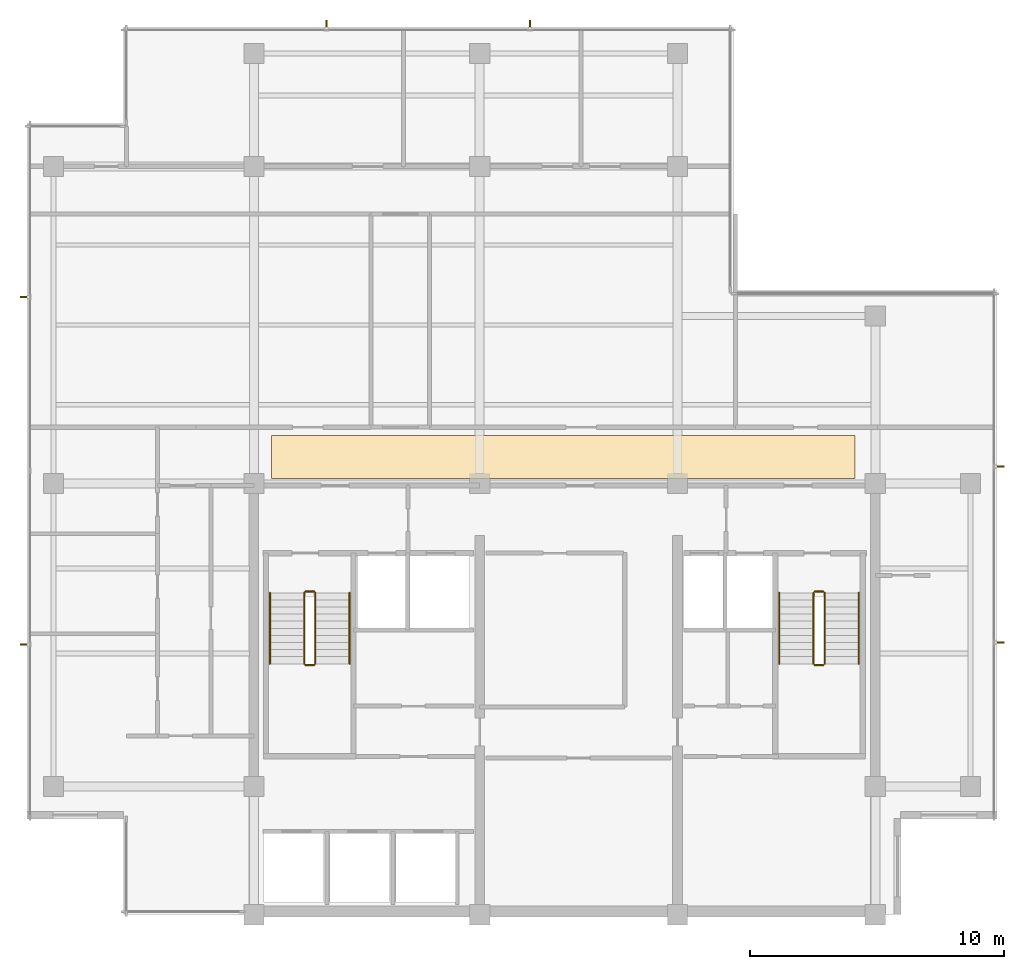
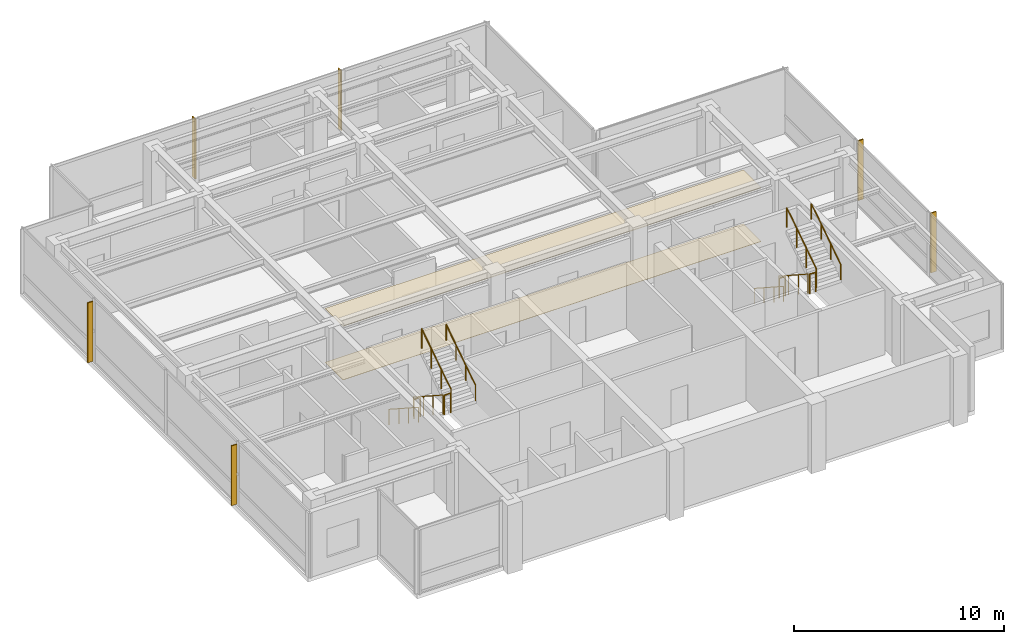
# One storey, part 11 of 11: 12 railings, 6 shading devices, 2 coverings.
"""IFC4 building model written with IfcOpenShell, lengths in metres."""

from ifc_helpers import new_model, si_unit, direction, frame, origin, origin_2d, place, context, subcontext, project, spatial, polyline, circle, outline, extrude, material, layer, layer_set, type_object, element, save


model = new_model("IFC4")

# Units and contexts
model_context = context("Model", 3, precision=1e-05, world=origin(), true_north=direction((0.0, 1.0)))
body_context = subcontext(model_context, "Body", "Model", "MODEL_VIEW")
ifc_project = project(units=[si_unit("LENGTHUNIT", "METRE"), si_unit("AREAUNIT", "SQUARE_METRE"), si_unit("VOLUMEUNIT", "CUBIC_METRE"), si_unit("PLANEANGLEUNIT", "RADIAN"), si_unit("MASSUNIT", "GRAM", prefix="KILO")], contexts=[model_context])

# Site, building, storey
site_placement = place(None, origin())
site = spatial("IfcSite", under=ifc_project, at=site_placement, CompositionType="ELEMENT")
building_placement = place(site_placement, origin())
building = spatial("IfcBuilding", under=site, at=building_placement, Name="Qalmaran Belvedere Hotel", CompositionType="ELEMENT")
storey_placement = place(building_placement, frame((0.0, 0.0, 289.89990234375)))
storey = spatial("IfcBuildingStorey", under=building, at=storey_placement, Name="L75", CompositionType="ELEMENT", Elevation=289.89990234375)

# Covering
ifc_material_1 = material(Name="Acoustic Mineral Ceiling")
ifc_layer_1 = layer(ifc_material_1, 0.0400390625, Name="Acoustic Mineral Ceiling")
ifc_layer_set_1 = layer_set([ifc_layer_1], Name="Acoustic Mineral Ceiling")
covering_type_1 = type_object("IfcCoveringType", Name="CLG-ACOUSTIC-40", PredefinedType="CEILING", material=ifc_layer_set_1)
covering_1_placement = place(storey_placement, frame((0.0, 0.0, 3.110107421875)))
element("IfcCovering", 1, at=covering_1_placement, inside=storey, type_object=covering_type_1, Name="L75 Acoustic Corridor Ceiling", PredefinedType="CEILING", context=body_context, shape_type="SweptSolid", body=[
    extrude(outline(polyline([(21.0, 20.699951171875), (44.0, 20.699951171875), (44.0, 22.39990234375), (21.0, 22.39990234375), (21.0, 20.699951171875)])), origin(), (0.0, 0.0, 1.0), 0.0400390625),
])

# Shading devices
ifc_material_2 = material(Name="Anodised Bronze Aluminium", Category="aluminium")
ifc_layer_2 = layer(ifc_material_2, 0.06494140625, Name="Anodised Bronze Aluminium")
ifc_layer_set_2 = layer_set([ifc_layer_2], Name="Anodised Bronze Aluminium")
shading_device_type = type_object("IfcShadingDeviceType", Name="FIN-BRNZ-300", PredefinedType="USERDEFINED", material=ifc_layer_set_2)
shading_device_1_placement = place(storey_placement, frame((0.0, 0.0, 0.16015625)))
element("IfcShadingDevice", 2, at=shading_device_1_placement, inside=storey, type_object=shading_device_type, Name="L75 Bronze Fin 1", ObjectType="FIN", PredefinedType="USERDEFINED", context=body_context, shape_type="SweptSolid", body=[
    extrude(outline(polyline([(49.572509765625, 14.20068359375), (49.87255859375, 14.20068359375), (49.87255859375, 14.265869140625), (49.572509765625, 14.265869140625), (49.572509765625, 14.20068359375)])), origin(), (0.0, 0.0, 1.0), 3.47998046875),
])
shading_device_2_placement = place(storey_placement, frame((0.0, 0.0, 0.16015625)))
element("IfcShadingDevice", 3, at=shading_device_2_placement, inside=storey, type_object=shading_device_type, Name="L75 Bronze Fin 2", ObjectType="FIN", PredefinedType="USERDEFINED", context=body_context, shape_type="SweptSolid", body=[
    extrude(outline(polyline([(49.572509765625, 21.13427734375), (49.87255859375, 21.13427734375), (49.87255859375, 21.19921875), (49.572509765625, 21.19921875), (49.572509765625, 21.13427734375)])), origin(), (0.0, 0.0, 1.0), 3.47998046875),
])
shading_device_3_placement = place(storey_placement, frame((0.0, 0.0, 0.16015625)))
element("IfcShadingDevice", 4, at=shading_device_3_placement, inside=storey, type_object=shading_device_type, Name="L75 Bronze Fin 1", ObjectType="FIN", PredefinedType="USERDEFINED", context=body_context, shape_type="SweptSolid", body=[
    extrude(outline(polyline([(31.2158203125, 38.472412109375), (31.2158203125, 38.7724609375), (31.15087890625, 38.7724609375), (31.15087890625, 38.472412109375), (31.2158203125, 38.472412109375)])), origin(), (0.0, 0.0, 1.0), 3.47998046875),
])
shading_device_4_placement = place(storey_placement, frame((0.0, 0.0, 0.16015625)))
element("IfcShadingDevice", 5, at=shading_device_4_placement, inside=storey, type_object=shading_device_type, Name="L75 Bronze Fin 2", ObjectType="FIN", PredefinedType="USERDEFINED", context=body_context, shape_type="SweptSolid", body=[
    extrude(outline(polyline([(23.19921875, 38.472412109375), (23.19921875, 38.7724609375), (23.13427734375, 38.7724609375), (23.13427734375, 38.472412109375), (23.19921875, 38.472412109375)])), origin(), (0.0, 0.0, 1.0), 3.47998046875),
])
shading_device_5_placement = place(storey_placement, frame((0.0, 0.0, 0.16015625)))
element("IfcShadingDevice", 6, at=shading_device_5_placement, inside=storey, type_object=shading_device_type, Name="L75 Bronze Fin 1", ObjectType="FIN", PredefinedType="USERDEFINED", context=body_context, shape_type="SweptSolid", body=[
    extrude(outline(polyline([(11.37744140625, 27.882568359375), (11.077392578125, 27.882568359375), (11.077392578125, 27.8173828125), (11.37744140625, 27.8173828125), (11.37744140625, 27.882568359375)])), origin(), (0.0, 0.0, 1.0), 3.47998046875),
])
shading_device_6_placement = place(storey_placement, frame((0.0, 0.0, 0.16015625)))
element("IfcShadingDevice", 7, at=shading_device_6_placement, inside=storey, type_object=shading_device_type, Name="L75 Bronze Fin 3", ObjectType="FIN", PredefinedType="USERDEFINED", context=body_context, shape_type="SweptSolid", body=[
    extrude(outline(polyline([(11.37744140625, 14.1826171875), (11.077392578125, 14.1826171875), (11.077392578125, 14.117431640625), (11.37744140625, 14.117431640625), (11.37744140625, 14.1826171875)])), origin(), (0.0, 0.0, 1.0), 3.47998046875),
])

# Covering
ifc_material_3 = material(Name="Polished Stone Terrazzo", Category="masonry")
ifc_layer_3 = layer(ifc_material_3, 0.01806640625, Name="Polished Stone Terrazzo")
ifc_layer_set_3 = layer_set([ifc_layer_3], Name="Polished Stone Terrazzo")
covering_type_2 = type_object("IfcCoveringType", Name="FIN-TERRAZZO-18", PredefinedType="FLOORING", material=ifc_layer_set_3)
covering_2_placement = place(storey_placement, frame((0.0, 0.0, 0.002197265625)))
element("IfcCovering", 8, at=covering_2_placement, inside=storey, type_object=covering_type_2, Name="L75 Limestone Corridor Flooring", PredefinedType="FLOORING", context=body_context, shape_type="SweptSolid", body=[
    extrude(outline(polyline([(21.0, 20.699951171875), (44.0, 20.699951171875), (44.0, 22.39990234375), (21.0, 22.39990234375), (21.0, 20.699951171875)])), origin(), (0.0, 0.0, 1.0), 0.017822265625),
])

# Railings
ifc_material_4 = material(Name="Stainless Steel 1.4401", Category="steel")
railing_type_1 = type_object("IfcRailingType", Name="RLG-STAIR-GUARD-1150", PredefinedType="GUARDRAIL", material=ifc_material_4)
railing_1_placement = place(storey_placement, frame((22.280029296875, 16.18994140625, 0.181884765625)))
element("IfcRailing", 9, at=railing_1_placement, inside=storey, type_object=railing_type_1, Name="L75 ST-1 stair guard 1", PredefinedType="GUARDRAIL", context=body_context, shape_type="SweptSolid", body=[
    extrude(circle(Radius=0.02392578125, at=origin_2d()), frame((0.0, 0.0, 1.1259765625), z_axis=(0.0, -0.838705829183, 0.544584733623), x_axis=(1.0, 0.0, 0.0)), (0.0, 0.0, 1.0), 3.338623046875),
    extrude(circle(Radius=0.02099609375, at=origin_2d()), origin(), (0.0, 0.0, 1.0), 1.101806640625),
    extrude(circle(Radius=0.02099609375, at=origin_2d()), frame((0.0, -0.933349609375, 0.60595703125)), (0.0, 0.0, 1.0), 1.101806640625),
    extrude(circle(Radius=0.02099609375, at=origin_2d()), frame((0.0, -1.86669921875, 1.212158203125)), (0.0, 0.0, 1.0), 1.101806640625),
    extrude(circle(Radius=0.02099609375, at=origin_2d()), frame((0.0, -2.800048828125, 1.818115234375)), (0.0, 0.0, 1.0), 1.101806640625),
])
railing_2_placement = place(storey_placement, frame((22.330078125, 13.340087890625, 2.0)))
element("IfcRailing", 10, at=railing_2_placement, inside=storey, type_object=railing_type_1, Name="L75 ST-1 stair guard 2", PredefinedType="GUARDRAIL", context=body_context, shape_type="SweptSolid", body=[
    extrude(circle(Radius=0.02392578125, at=origin_2d()), frame((0.0, 0.0, 1.1259765625), z_axis=(1.0, 0.0, 0.0), x_axis=(0.0, 1.0, 0.0)), (0.0, 0.0, 1.0), 0.33984375),
    extrude(circle(Radius=0.02099609375, at=origin_2d()), origin(), (0.0, 0.0, 1.0), 1.101806640625),
    extrude(circle(Radius=0.02099609375, at=origin_2d()), frame((0.33984375, 0.0, 0.0)), (0.0, 0.0, 1.0), 1.101806640625),
])
railing_3_placement = place(storey_placement, frame((22.719970703125, 13.389892578125, 2.181884765625)))
element("IfcRailing", 11, at=railing_3_placement, inside=storey, type_object=railing_type_1, Name="L75 ST-1 stair guard 3", PredefinedType="GUARDRAIL", context=body_context, shape_type="SweptSolid", body=[
    extrude(circle(Radius=0.02392578125, at=origin_2d()), frame((0.0, 0.0, 1.1259765625), z_axis=(0.0, 0.838705829183, 0.544584733623), x_axis=(-1.0, 0.0, 0.0)), (0.0, 0.0, 1.0), 3.338623046875),
    extrude(circle(Radius=0.02099609375, at=origin_2d()), origin(), (0.0, 0.0, 1.0), 1.101806640625),
    extrude(circle(Radius=0.02099609375, at=origin_2d()), frame((0.0, 0.933349609375, 0.60595703125)), (0.0, 0.0, 1.0), 1.101806640625),
    extrude(circle(Radius=0.02099609375, at=origin_2d()), frame((0.0, 1.86669921875, 1.212158203125)), (0.0, 0.0, 1.0), 1.101806640625),
    extrude(circle(Radius=0.02099609375, at=origin_2d()), frame((0.0, 2.800048828125, 1.818115234375)), (0.0, 0.0, 1.0), 1.101806640625),
])
railing_4_placement = place(storey_placement, frame((22.330078125, 16.239990234375, 0.0)))
element("IfcRailing", 12, at=railing_4_placement, inside=storey, type_object=railing_type_1, Name="L75 ST-1 stair guard 4", PredefinedType="GUARDRAIL", context=body_context, shape_type="SweptSolid", body=[
    extrude(circle(Radius=0.02392578125, at=origin_2d()), frame((0.0, 0.0, 1.1259765625), z_axis=(1.0, 0.0, 0.0), x_axis=(0.0, 1.0, 0.0)), (0.0, 0.0, 1.0), 0.33984375),
    extrude(circle(Radius=0.02099609375, at=origin_2d()), origin(), (0.0, 0.0, 1.0), 1.101806640625),
    extrude(circle(Radius=0.02099609375, at=origin_2d()), frame((0.33984375, 0.0, 0.0)), (0.0, 0.0, 1.0), 1.101806640625),
])
railing_5_placement = place(storey_placement, frame((42.360107421875, 16.18994140625, 0.181884765625)))
element("IfcRailing", 13, at=railing_5_placement, inside=storey, type_object=railing_type_1, Name="L75 ST-2 stair guard 1", PredefinedType="GUARDRAIL", context=body_context, shape_type="SweptSolid", body=[
    extrude(circle(Radius=0.02392578125, at=origin_2d()), frame((0.0, 0.0, 1.1259765625), z_axis=(0.0, -0.838705829183, 0.544584733623), x_axis=(1.0, 0.0, 0.0)), (0.0, 0.0, 1.0), 3.338623046875),
    extrude(circle(Radius=0.02099609375, at=origin_2d()), origin(), (0.0, 0.0, 1.0), 1.101806640625),
    extrude(circle(Radius=0.02099609375, at=origin_2d()), frame((0.0, -0.933349609375, 0.60595703125)), (0.0, 0.0, 1.0), 1.101806640625),
    extrude(circle(Radius=0.02099609375, at=origin_2d()), frame((0.0, -1.86669921875, 1.212158203125)), (0.0, 0.0, 1.0), 1.101806640625),
    extrude(circle(Radius=0.02099609375, at=origin_2d()), frame((0.0, -2.800048828125, 1.818115234375)), (0.0, 0.0, 1.0), 1.101806640625),
])
railing_6_placement = place(storey_placement, frame((42.409912109375, 13.340087890625, 2.0)))
element("IfcRailing", 14, at=railing_6_placement, inside=storey, type_object=railing_type_1, Name="L75 ST-2 stair guard 2", PredefinedType="GUARDRAIL", context=body_context, shape_type="SweptSolid", body=[
    extrude(circle(Radius=0.02392578125, at=origin_2d()), frame((0.0, 0.0, 1.1259765625), z_axis=(1.0, 0.0, 0.0), x_axis=(0.0, 1.0, 0.0)), (0.0, 0.0, 1.0), 0.340087890625),
    extrude(circle(Radius=0.02099609375, at=origin_2d()), origin(), (0.0, 0.0, 1.0), 1.101806640625),
    extrude(circle(Radius=0.02099609375, at=origin_2d()), frame((0.340087890625, 0.0, 0.0)), (0.0, 0.0, 1.0), 1.101806640625),
])
railing_7_placement = place(storey_placement, frame((42.800048828125, 13.389892578125, 2.181884765625)))
element("IfcRailing", 15, at=railing_7_placement, inside=storey, type_object=railing_type_1, Name="L75 ST-2 stair guard 3", PredefinedType="GUARDRAIL", context=body_context, shape_type="SweptSolid", body=[
    extrude(circle(Radius=0.02392578125, at=origin_2d()), frame((0.0, 0.0, 1.1259765625), z_axis=(0.0, 0.838705829183, 0.544584733623), x_axis=(-1.0, 0.0, 0.0)), (0.0, 0.0, 1.0), 3.338623046875),
    extrude(circle(Radius=0.02099609375, at=origin_2d()), origin(), (0.0, 0.0, 1.0), 1.101806640625),
    extrude(circle(Radius=0.02099609375, at=origin_2d()), frame((0.0, 0.933349609375, 0.60595703125)), (0.0, 0.0, 1.0), 1.101806640625),
    extrude(circle(Radius=0.02099609375, at=origin_2d()), frame((0.0, 1.86669921875, 1.212158203125)), (0.0, 0.0, 1.0), 1.101806640625),
    extrude(circle(Radius=0.02099609375, at=origin_2d()), frame((0.0, 2.800048828125, 1.818115234375)), (0.0, 0.0, 1.0), 1.101806640625),
])
railing_8_placement = place(storey_placement, frame((42.409912109375, 16.239990234375, 0.0)))
element("IfcRailing", 16, at=railing_8_placement, inside=storey, type_object=railing_type_1, Name="L75 ST-2 stair guard 4", PredefinedType="GUARDRAIL", context=body_context, shape_type="SweptSolid", body=[
    extrude(circle(Radius=0.02392578125, at=origin_2d()), frame((0.0, 0.0, 1.1259765625), z_axis=(1.0, 0.0, 0.0), x_axis=(0.0, 1.0, 0.0)), (0.0, 0.0, 1.0), 0.340087890625),
    extrude(circle(Radius=0.02099609375, at=origin_2d()), origin(), (0.0, 0.0, 1.0), 1.101806640625),
    extrude(circle(Radius=0.02099609375, at=origin_2d()), frame((0.340087890625, 0.0, 0.0)), (0.0, 0.0, 1.0), 1.101806640625),
])
railing_type_2 = type_object("IfcRailingType", Name="RLG-STAIR-HAND-910", PredefinedType="HANDRAIL", material=ifc_material_4)
railing_9_placement = place(storey_placement, frame((20.929931640625, 16.18994140625, 0.181884765625)))
element("IfcRailing", 17, at=railing_9_placement, inside=storey, type_object=railing_type_2, Name="L75 ST-1 stair handrail 1", PredefinedType="HANDRAIL", context=body_context, shape_type="SweptSolid", body=[
    extrude(circle(Radius=0.02392578125, at=origin_2d()), frame((0.0, 0.0, 0.8857421875), z_axis=(0.0, -0.838705829183, 0.544584733623), x_axis=(1.0, 0.0, 0.0)), (0.0, 0.0, 1.0), 3.338623046875),
    extrude(circle(Radius=0.02099609375, at=origin_2d()), origin(), (0.0, 0.0, 1.0), 0.86181640625),
    extrude(circle(Radius=0.02099609375, at=origin_2d()), frame((0.0, -0.933349609375, 0.60595703125)), (0.0, 0.0, 1.0), 0.86181640625),
    extrude(circle(Radius=0.02099609375, at=origin_2d()), frame((0.0, -1.86669921875, 1.212158203125)), (0.0, 0.0, 1.0), 0.86181640625),
    extrude(circle(Radius=0.02099609375, at=origin_2d()), frame((0.0, -2.800048828125, 1.818115234375)), (0.0, 0.0, 1.0), 0.86181640625),
])
railing_10_placement = place(storey_placement, frame((24.070068359375, 13.389892578125, 2.181884765625)))
element("IfcRailing", 18, at=railing_10_placement, inside=storey, type_object=railing_type_2, Name="L75 ST-1 stair handrail 2", PredefinedType="HANDRAIL", context=body_context, shape_type="SweptSolid", body=[
    extrude(circle(Radius=0.02392578125, at=origin_2d()), frame((0.0, 0.0, 0.8857421875), z_axis=(0.0, 0.838705829183, 0.544584733623), x_axis=(-1.0, 0.0, 0.0)), (0.0, 0.0, 1.0), 3.338623046875),
    extrude(circle(Radius=0.02099609375, at=origin_2d()), origin(), (0.0, 0.0, 1.0), 0.86181640625),
    extrude(circle(Radius=0.02099609375, at=origin_2d()), frame((0.0, 0.933349609375, 0.60595703125)), (0.0, 0.0, 1.0), 0.86181640625),
    extrude(circle(Radius=0.02099609375, at=origin_2d()), frame((0.0, 1.86669921875, 1.212158203125)), (0.0, 0.0, 1.0), 0.86181640625),
    extrude(circle(Radius=0.02099609375, at=origin_2d()), frame((0.0, 2.800048828125, 1.818115234375)), (0.0, 0.0, 1.0), 0.86181640625),
])
railing_11_placement = place(storey_placement, frame((41.010009765625, 16.18994140625, 0.181884765625)))
element("IfcRailing", 19, at=railing_11_placement, inside=storey, type_object=railing_type_2, Name="L75 ST-2 stair handrail 1", PredefinedType="HANDRAIL", context=body_context, shape_type="SweptSolid", body=[
    extrude(circle(Radius=0.02392578125, at=origin_2d()), frame((0.0, 0.0, 0.8857421875), z_axis=(0.0, -0.838705829183, 0.544584733623), x_axis=(1.0, 0.0, 0.0)), (0.0, 0.0, 1.0), 3.338623046875),
    extrude(circle(Radius=0.02099609375, at=origin_2d()), origin(), (0.0, 0.0, 1.0), 0.86181640625),
    extrude(circle(Radius=0.02099609375, at=origin_2d()), frame((0.0, -0.933349609375, 0.60595703125)), (0.0, 0.0, 1.0), 0.86181640625),
    extrude(circle(Radius=0.02099609375, at=origin_2d()), frame((0.0, -1.86669921875, 1.212158203125)), (0.0, 0.0, 1.0), 0.86181640625),
    extrude(circle(Radius=0.02099609375, at=origin_2d()), frame((0.0, -2.800048828125, 1.818115234375)), (0.0, 0.0, 1.0), 0.86181640625),
])
railing_12_placement = place(storey_placement, frame((44.14990234375, 13.389892578125, 2.181884765625)))
element("IfcRailing", 20, at=railing_12_placement, inside=storey, type_object=railing_type_2, Name="L75 ST-2 stair handrail 2", PredefinedType="HANDRAIL", context=body_context, shape_type="SweptSolid", body=[
    extrude(circle(Radius=0.02392578125, at=origin_2d()), frame((0.0, 0.0, 0.8857421875), z_axis=(0.0, 0.838705829183, 0.544584733623), x_axis=(-1.0, 0.0, 0.0)), (0.0, 0.0, 1.0), 3.338623046875),
    extrude(circle(Radius=0.02099609375, at=origin_2d()), origin(), (0.0, 0.0, 1.0), 0.86181640625),
    extrude(circle(Radius=0.02099609375, at=origin_2d()), frame((0.0, 0.933349609375, 0.60595703125)), (0.0, 0.0, 1.0), 0.86181640625),
    extrude(circle(Radius=0.02099609375, at=origin_2d()), frame((0.0, 1.86669921875, 1.212158203125)), (0.0, 0.0, 1.0), 0.86181640625),
    extrude(circle(Radius=0.02099609375, at=origin_2d()), frame((0.0, 2.800048828125, 1.818115234375)), (0.0, 0.0, 1.0), 0.86181640625),
])

save(model, "model.ifc")
